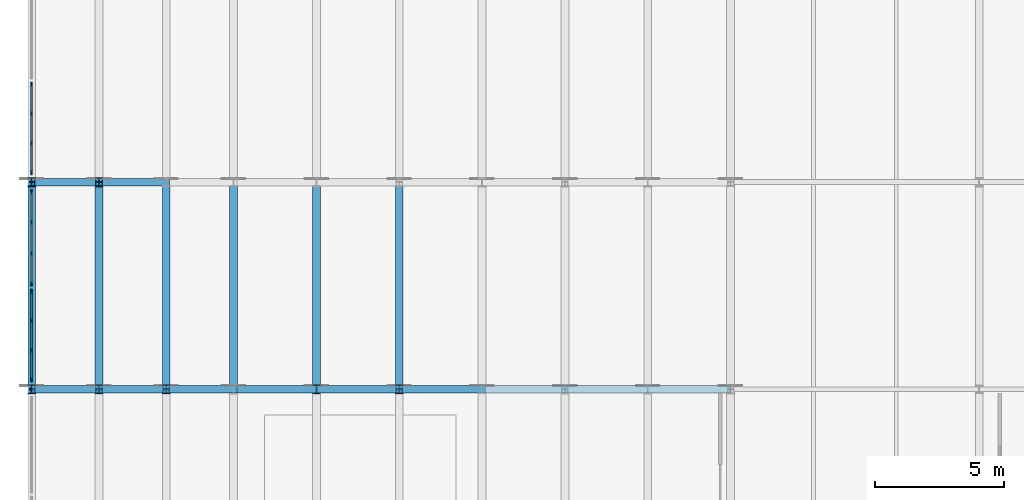
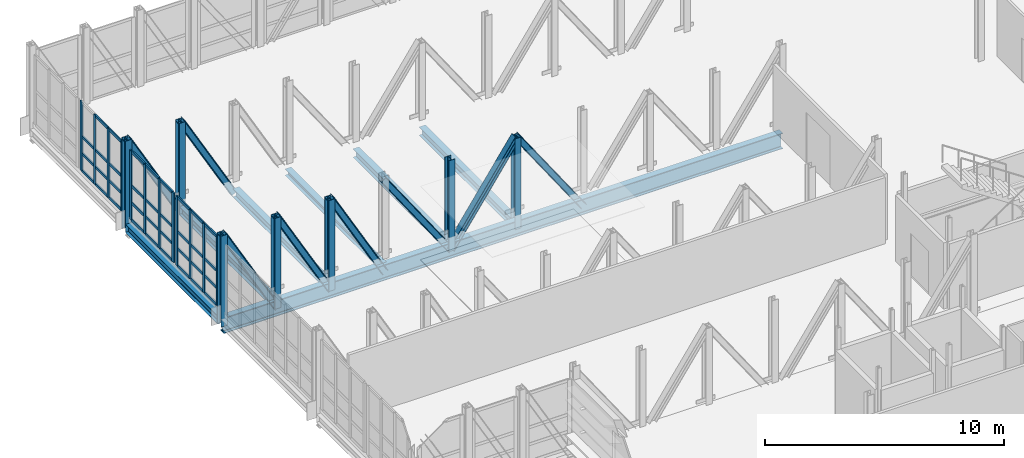
# One storey, part 39 of 73: 62 members, 7 beams, 3 elements without a shape of their own.
"""IFC4 building model written with IfcOpenShell, lengths in metres."""

from ifc_helpers import new_model, si_unit, direction, frame, origin, origin_2d, place, context, subcontext, project, spatial, rectangle, i_section, extrude, material, layer, layer_set, material_profile, profile_set, type_object, element, aggregate, save


model = new_model("IFC4")

# Units and contexts
model_context = context("Model", 3, precision=1e-05, world=origin(), true_north=direction((0.0, 1.0)))
body_context = subcontext(model_context, "Body", "Model", "MODEL_VIEW")
ifc_project = project(units=[si_unit("LENGTHUNIT", "METRE"), si_unit("AREAUNIT", "SQUARE_METRE"), si_unit("VOLUMEUNIT", "CUBIC_METRE"), si_unit("PLANEANGLEUNIT", "RADIAN"), si_unit("MASSUNIT", "GRAM", prefix="KILO")], contexts=[model_context])

# Site, building, storey
site_placement = place(None, origin())
site = spatial("IfcSite", under=ifc_project, at=site_placement, CompositionType="ELEMENT")
building_placement = place(site_placement, origin())
building = spatial("IfcBuilding", under=site, at=building_placement, Name="Alderhovde Museum", CompositionType="ELEMENT")
storey_placement = place(building_placement, frame((0.0, 0.0, 12.89990234375)))
storey = spatial("IfcBuildingStorey", under=building, at=storey_placement, Name="L03", CompositionType="ELEMENT", Elevation=12.89990234375)

# Beams
ifc_material_1 = material(Name="Steel S355J2", Category="steel")
ifc_material_profile_1 = material_profile(ifc_material_1, i_section(OverallWidth=0.300048828125, OverallDepth=0.330078125, WebThickness=0.009521484375, FlangeThickness=0.0166015625, FilletRadius=0.027099609375, at=origin_2d()), Name="HEA 340")
ifc_profile_set_1 = profile_set([ifc_material_profile_1], Name="Steel S355J2")
beam_type_1 = type_object("IfcBeamType", Name="BM-HEA340", PredefinedType="BEAM", material=ifc_profile_set_1)
beam_1_placement = place(storey_placement, frame((9.60009765625, 96.0, -0.48486328125), z_axis=(0.0, 1.0, 0.0), x_axis=(-1.0, 0.0, 0.0)))
element("IfcBeam", 1, at=beam_1_placement, inside=storey, type_object=beam_type_1, Name="L03 Grid Beam X=9.6 (96.0 TO 104.0)", PredefinedType="BEAM", context=body_context, shape_type="SweptSolid", body=[
    extrude(i_section(OverallWidth=0.300048828125, OverallDepth=0.330078125, WebThickness=0.009521484375, FlangeThickness=0.0166015625, FilletRadius=0.027099609375, at=origin_2d()), origin(), (0.0, 0.0, 1.0), 8.0),
])
ifc_material_2 = material(Name="Steel S355J2", Category="steel")
ifc_material_profile_2 = material_profile(ifc_material_2, i_section(OverallWidth=0.300048828125, OverallDepth=0.43994140625, WebThickness=0.011474609375, FlangeThickness=0.02099609375, FilletRadius=0.027099609375, at=origin_2d()), Name="HEA 450")
ifc_profile_set_2 = profile_set([ifc_material_profile_2], Name="Steel S355J2")
beam_type_2 = type_object("IfcBeamType", Name="BM-HEA450", PredefinedType="BEAM", material=ifc_profile_set_2)
for number, where, z_axis, x_axis, name in (
    (2, (1.800048828125, 96.14990234375, -0.539794921875), (0.0, 1.0, 0.0), (-1.0, 0.0, 0.0), "L03 Transfer Transverse Beam X=1.8"),
    (3, (4.39990234375, 96.14990234375, -0.539794921875), (0.0, 1.0, 0.0), (-1.0, 0.0, 0.0), "L03 Transfer Transverse Beam X=4.4"),
    (4, (7.0, 96.14990234375, -0.539794921875), (0.0, 1.0, 0.0), (-1.0, 0.0, 0.0), "L03 Transfer Transverse Beam X=7.0"),
    (5, (12.800048828125, 96.14990234375, -0.539794921875), (0.0, 1.0, 0.0), (-1.0, 0.0, 0.0), "L03 Transfer Transverse Beam X=12.8"),
    (6, (16.0, 96.14990234375, -0.539794921875), (0.0, 1.0, 0.0), (-1.0, 0.0, 0.0), "L03 Transfer Transverse Beam X=16.0"),
):
    element("IfcBeam", number, at=place(storey_placement, frame(where, z_axis=z_axis, x_axis=x_axis)), inside=storey, type_object=beam_type_2, Name=name, PredefinedType="BEAM", context=body_context, shape_type="SweptSolid", body=[
        extrude(i_section(OverallWidth=0.300048828125, OverallDepth=0.43994140625, WebThickness=0.011474609375, FlangeThickness=0.02099609375, FilletRadius=0.027099609375, at=origin_2d()), origin(), (0.0, 0.0, 1.0), 7.7001953125),
    ])
ifc_material_3 = material(Name="Steel S355J2", Category="steel")
ifc_material_profile_3 = material_profile(ifc_material_3, i_section(OverallWidth=0.300048828125, OverallDepth=0.800048828125, WebThickness=0.017578125, FlangeThickness=0.032958984375, FilletRadius=0.030029296875, at=origin_2d()), Name="HEB 800")
ifc_profile_set_3 = profile_set([ifc_material_profile_3], Name="Steel S355J2")
beam_type_3 = type_object("IfcBeamType", Name="BM-HEB800", PredefinedType="BEAM", material=ifc_profile_set_3)
beam_2_placement = place(storey_placement, frame((1.800048828125, 96.0, -0.719970703125), z_axis=(1.0, 0.0, 0.0), x_axis=(0.0, 1.0, 0.0)))
element("IfcBeam", 7, at=beam_2_placement, inside=storey, type_object=beam_type_3, Name="Transfer Truss Y=96 BOT Continuous Chord", PredefinedType="BEAM", context=body_context, shape_type="SweptSolid", body=[
    extrude(i_section(OverallWidth=0.300048828125, OverallDepth=0.800048828125, WebThickness=0.017578125, FlangeThickness=0.032958984375, FilletRadius=0.030029296875, at=origin_2d()), origin(), (0.0, 0.0, 1.0), 27.0),
])

# Curtain wall, members
ifc_material_4 = material(Name="Triple-Glazed Bronze-Anodised Curtain Wall", Category="glass")
ifc_layer_1 = layer(ifc_material_4, 0.179931640625)
ifc_layer_set_1 = layer_set([ifc_layer_1], Name="Triple-Glazed Bronze-Anodised Curtain Wall")
curtain_wall_type_1 = type_object("IfcCurtainWallType", Name="CW-UNIT-345x354", PredefinedType="USERDEFINED", material=ifc_layer_set_1)
curtain_wall_1_placement = place(storey_placement, origin())
curtain_wall_1 = element("IfcCurtainWall", 8, at=curtain_wall_1_placement, inside=storey, type_object=curtain_wall_type_1, Name="L03 Unitised Curtain Wall 95", ObjectType="UNITISED CURTAIN WALL", PredefinedType="USERDEFINED")
ifc_material_5 = material(Name="Bronze-Anodised Aluminium EN AW-6063-T6", Category="aluminium")
ifc_material_profile_4 = material_profile(ifc_material_5, rectangle(XDim=0.06494140625, YDim=0.179931640625, at=origin_2d()), Name="MULLION 65x180")
ifc_profile_set_4 = profile_set([ifc_material_profile_4], Name="Bronze-Anodised Aluminium EN AW-6063-T6")
member_type_1 = type_object("IfcMemberType", Name="CWM-65x180", PredefinedType="MULLION", material=ifc_profile_set_4)
member_1_placement = place(storey_placement, frame((1.800048828125, 96.382568359375, 0.0), z_axis=(0.0, 0.0, 1.0), x_axis=(-1.0, 0.0, 0.0)))
member_1 = element("IfcMember", 9, at=member_1_placement, type_object=member_type_1, Name="CW24 mullion 1", PredefinedType="MULLION", context=body_context, shape_type="SweptSolid", body=[
    extrude(rectangle(XDim=0.06494140625, YDim=0.179931640625, at=origin_2d()), origin(), (0.0, 0.0, 1.0), 3.5400390625),
])
member_2_placement = place(storey_placement, frame((1.800048828125, 97.5, 0.0), z_axis=(0.0, 0.0, 1.0), x_axis=(-1.0, 0.0, 0.0)))
member_2 = element("IfcMember", 10, at=member_2_placement, type_object=member_type_1, Name="CW24 mullion 2", PredefinedType="MULLION", context=body_context, shape_type="SweptSolid", body=[
    extrude(rectangle(XDim=0.06494140625, YDim=0.179931640625, at=origin_2d()), origin(), (0.0, 0.0, 1.0), 3.5400390625),
])
member_3_placement = place(storey_placement, frame((1.800048828125, 98.64990234375, 0.0), z_axis=(0.0, 0.0, 1.0), x_axis=(-1.0, 0.0, 0.0)))
member_3 = element("IfcMember", 11, at=member_3_placement, type_object=member_type_1, Name="CW24 mullion 3", PredefinedType="MULLION", context=body_context, shape_type="SweptSolid", body=[
    extrude(rectangle(XDim=0.06494140625, YDim=0.179931640625, at=origin_2d()), origin(), (0.0, 0.0, 1.0), 3.5400390625),
])
member_4_placement = place(storey_placement, frame((1.800048828125, 99.767578125, 0.0), z_axis=(0.0, 0.0, 1.0), x_axis=(-1.0, 0.0, 0.0)))
member_4 = element("IfcMember", 12, at=member_4_placement, type_object=member_type_1, Name="CW24 mullion 4", PredefinedType="MULLION", context=body_context, shape_type="SweptSolid", body=[
    extrude(rectangle(XDim=0.06494140625, YDim=0.179931640625, at=origin_2d()), origin(), (0.0, 0.0, 1.0), 3.5400390625),
])

ifc_material_6 = material(Name="Triple-Glazed Bronze-Anodised Curtain Wall", Category="glass")
ifc_layer_2 = layer(ifc_material_6, 0.179931640625)
ifc_layer_set_2 = layer_set([ifc_layer_2], Name="Triple-Glazed Bronze-Anodised Curtain Wall")
curtain_wall_type_2 = type_object("IfcCurtainWallType", Name="CW-UNIT-360x354", PredefinedType="USERDEFINED", material=ifc_layer_set_2)
curtain_wall_2_placement = place(storey_placement, origin())
curtain_wall_2 = element("IfcCurtainWall", 13, at=curtain_wall_2_placement, inside=storey, type_object=curtain_wall_type_2, Name="L03 Unitised Curtain Wall 96", ObjectType="UNITISED CURTAIN WALL", PredefinedType="USERDEFINED")
member_5_placement = place(storey_placement, frame((1.800048828125, 100.08251953125, 0.0), z_axis=(0.0, 0.0, 1.0), x_axis=(-1.0, 0.0, 0.0)))
member_5 = element("IfcMember", 14, at=member_5_placement, type_object=member_type_1, Name="CW20 mullion 1", PredefinedType="MULLION", context=body_context, shape_type="SweptSolid", body=[
    extrude(rectangle(XDim=0.06494140625, YDim=0.179931640625, at=origin_2d()), origin(), (0.0, 0.0, 1.0), 3.5400390625),
])
member_6_placement = place(storey_placement, frame((1.800048828125, 101.25, 0.0), z_axis=(0.0, 0.0, 1.0), x_axis=(-1.0, 0.0, 0.0)))
member_6 = element("IfcMember", 15, at=member_6_placement, type_object=member_type_1, Name="CW20 mullion 2", PredefinedType="MULLION", context=body_context, shape_type="SweptSolid", body=[
    extrude(rectangle(XDim=0.06494140625, YDim=0.179931640625, at=origin_2d()), origin(), (0.0, 0.0, 1.0), 3.5400390625),
])
member_7_placement = place(storey_placement, frame((1.800048828125, 102.449951171875, 0.0), z_axis=(0.0, 0.0, 1.0), x_axis=(-1.0, 0.0, 0.0)))
member_7 = element("IfcMember", 16, at=member_7_placement, type_object=member_type_1, Name="CW20 mullion 3", PredefinedType="MULLION", context=body_context, shape_type="SweptSolid", body=[
    extrude(rectangle(XDim=0.06494140625, YDim=0.179931640625, at=origin_2d()), origin(), (0.0, 0.0, 1.0), 3.5400390625),
])
member_8_placement = place(storey_placement, frame((1.800048828125, 103.617431640625, 0.0), z_axis=(0.0, 0.0, 1.0), x_axis=(-1.0, 0.0, 0.0)))
member_8 = element("IfcMember", 17, at=member_8_placement, type_object=member_type_1, Name="CW20 mullion 4", PredefinedType="MULLION", context=body_context, shape_type="SweptSolid", body=[
    extrude(rectangle(XDim=0.06494140625, YDim=0.179931640625, at=origin_2d()), origin(), (0.0, 0.0, 1.0), 3.5400390625),
])

curtain_wall_3_placement = place(storey_placement, origin())
curtain_wall_3 = element("IfcCurtainWall", 18, at=curtain_wall_3_placement, inside=storey, type_object=curtain_wall_type_1, Name="L03 Unitised Curtain Wall 97", ObjectType="UNITISED CURTAIN WALL", PredefinedType="USERDEFINED")
member_9_placement = place(storey_placement, frame((1.800048828125, 104.382568359375, 0.0), z_axis=(0.0, 0.0, 1.0), x_axis=(-1.0, 0.0, 0.0)))
member_9 = element("IfcMember", 19, at=member_9_placement, type_object=member_type_1, Name="CW24 mullion 1", PredefinedType="MULLION", context=body_context, shape_type="SweptSolid", body=[
    extrude(rectangle(XDim=0.06494140625, YDim=0.179931640625, at=origin_2d()), origin(), (0.0, 0.0, 1.0), 3.5400390625),
])
member_10_placement = place(storey_placement, frame((1.800048828125, 105.5, 0.0), z_axis=(0.0, 0.0, 1.0), x_axis=(-1.0, 0.0, 0.0)))
member_10 = element("IfcMember", 20, at=member_10_placement, type_object=member_type_1, Name="CW24 mullion 2", PredefinedType="MULLION", context=body_context, shape_type="SweptSolid", body=[
    extrude(rectangle(XDim=0.06494140625, YDim=0.179931640625, at=origin_2d()), origin(), (0.0, 0.0, 1.0), 3.5400390625),
])
member_11_placement = place(storey_placement, frame((1.800048828125, 106.64990234375, 0.0), z_axis=(0.0, 0.0, 1.0), x_axis=(-1.0, 0.0, 0.0)))
member_11 = element("IfcMember", 21, at=member_11_placement, type_object=member_type_1, Name="CW24 mullion 3", PredefinedType="MULLION", context=body_context, shape_type="SweptSolid", body=[
    extrude(rectangle(XDim=0.06494140625, YDim=0.179931640625, at=origin_2d()), origin(), (0.0, 0.0, 1.0), 3.5400390625),
])
member_12_placement = place(storey_placement, frame((1.800048828125, 107.767578125, 0.0), z_axis=(0.0, 0.0, 1.0), x_axis=(-1.0, 0.0, 0.0)))
member_12 = element("IfcMember", 22, at=member_12_placement, type_object=member_type_1, Name="CW24 mullion 4", PredefinedType="MULLION", context=body_context, shape_type="SweptSolid", body=[
    extrude(rectangle(XDim=0.06494140625, YDim=0.179931640625, at=origin_2d()), origin(), (0.0, 0.0, 1.0), 3.5400390625),
])

# Member
ifc_material_7 = material(Name="Bronze-Anodised Aluminium EN AW-6063-T6", Category="aluminium")
ifc_material_profile_5 = material_profile(ifc_material_7, rectangle(XDim=0.06494140625, YDim=0.139892578125, at=origin_2d()), Name="TRANSOM 65x140")
ifc_profile_set_5 = profile_set([ifc_material_profile_5], Name="Bronze-Anodised Aluminium EN AW-6063-T6")
member_type_2 = type_object("IfcMemberType", Name="CWT-65x140", PredefinedType="USERDEFINED", material=ifc_profile_set_5)
member_13_placement = place(storey_placement, frame((1.800048828125, 96.4150390625, 0.03271484375), z_axis=(0.0, 1.0, 0.0), x_axis=(-1.0, 0.0, 0.0)))
member_13 = element("IfcMember", 23, at=member_13_placement, type_object=member_type_2, Name="CW24 transom 1.1", ObjectType="TRANSOM", PredefinedType="USERDEFINED", context=body_context, shape_type="SweptSolid", body=[
    extrude(rectangle(XDim=0.06494140625, YDim=0.139892578125, at=origin_2d()), origin(), (0.0, 0.0, 1.0), 1.052490234375),
])

member_14_placement = place(storey_placement, frame((1.800048828125, 96.4150390625, 0.900146484375), z_axis=(0.0, 1.0, 0.0), x_axis=(-1.0, 0.0, 0.0)))
member_14 = element("IfcMember", 24, at=member_14_placement, type_object=member_type_2, Name="CW24 transom 1.2", ObjectType="TRANSOM", PredefinedType="USERDEFINED", context=body_context, shape_type="SweptSolid", body=[
    extrude(rectangle(XDim=0.06494140625, YDim=0.139892578125, at=origin_2d()), origin(), (0.0, 0.0, 1.0), 1.052490234375),
])

member_15_placement = place(storey_placement, frame((1.800048828125, 96.4150390625, 1.77001953125), z_axis=(0.0, 1.0, 0.0), x_axis=(-1.0, 0.0, 0.0)))
member_15 = element("IfcMember", 25, at=member_15_placement, type_object=member_type_2, Name="CW24 transom 1.3", ObjectType="TRANSOM", PredefinedType="USERDEFINED", context=body_context, shape_type="SweptSolid", body=[
    extrude(rectangle(XDim=0.06494140625, YDim=0.139892578125, at=origin_2d()), origin(), (0.0, 0.0, 1.0), 1.052490234375),
])

member_16_placement = place(storey_placement, frame((1.800048828125, 96.4150390625, 3.507568359375), z_axis=(0.0, 1.0, 0.0), x_axis=(-1.0, 0.0, 0.0)))
member_16 = element("IfcMember", 26, at=member_16_placement, type_object=member_type_2, Name="CW24 transom 1.4", ObjectType="TRANSOM", PredefinedType="USERDEFINED", context=body_context, shape_type="SweptSolid", body=[
    extrude(rectangle(XDim=0.06494140625, YDim=0.139892578125, at=origin_2d()), origin(), (0.0, 0.0, 1.0), 1.052490234375),
])

member_17_placement = place(storey_placement, frame((1.800048828125, 97.532470703125, 0.03271484375), z_axis=(0.0, 1.0, 0.0), x_axis=(-1.0, 0.0, 0.0)))
member_17 = element("IfcMember", 27, at=member_17_placement, type_object=member_type_2, Name="CW24 transom 2.1", ObjectType="TRANSOM", PredefinedType="USERDEFINED", context=body_context, shape_type="SweptSolid", body=[
    extrude(rectangle(XDim=0.06494140625, YDim=0.139892578125, at=origin_2d()), origin(), (0.0, 0.0, 1.0), 1.0849609375),
])

member_18_placement = place(storey_placement, frame((1.800048828125, 97.532470703125, 0.900146484375), z_axis=(0.0, 1.0, 0.0), x_axis=(-1.0, 0.0, 0.0)))
member_18 = element("IfcMember", 28, at=member_18_placement, type_object=member_type_2, Name="CW24 transom 2.2", ObjectType="TRANSOM", PredefinedType="USERDEFINED", context=body_context, shape_type="SweptSolid", body=[
    extrude(rectangle(XDim=0.06494140625, YDim=0.139892578125, at=origin_2d()), origin(), (0.0, 0.0, 1.0), 1.0849609375),
])

member_19_placement = place(storey_placement, frame((1.800048828125, 97.532470703125, 1.77001953125), z_axis=(0.0, 1.0, 0.0), x_axis=(-1.0, 0.0, 0.0)))
member_19 = element("IfcMember", 29, at=member_19_placement, type_object=member_type_2, Name="CW24 transom 2.3", ObjectType="TRANSOM", PredefinedType="USERDEFINED", context=body_context, shape_type="SweptSolid", body=[
    extrude(rectangle(XDim=0.06494140625, YDim=0.139892578125, at=origin_2d()), origin(), (0.0, 0.0, 1.0), 1.0849609375),
])

member_20_placement = place(storey_placement, frame((1.800048828125, 97.532470703125, 3.507568359375), z_axis=(0.0, 1.0, 0.0), x_axis=(-1.0, 0.0, 0.0)))
member_20 = element("IfcMember", 30, at=member_20_placement, type_object=member_type_2, Name="CW24 transom 2.4", ObjectType="TRANSOM", PredefinedType="USERDEFINED", context=body_context, shape_type="SweptSolid", body=[
    extrude(rectangle(XDim=0.06494140625, YDim=0.139892578125, at=origin_2d()), origin(), (0.0, 0.0, 1.0), 1.0849609375),
])

member_21_placement = place(storey_placement, frame((1.800048828125, 98.6826171875, 0.03271484375), z_axis=(0.0, 1.0, 0.0), x_axis=(-1.0, 0.0, 0.0)))
member_21 = element("IfcMember", 31, at=member_21_placement, type_object=member_type_2, Name="CW24 transom 3.1", ObjectType="TRANSOM", PredefinedType="USERDEFINED", context=body_context, shape_type="SweptSolid", body=[
    extrude(rectangle(XDim=0.06494140625, YDim=0.139892578125, at=origin_2d()), origin(), (0.0, 0.0, 1.0), 1.052490234375),
])

member_22_placement = place(storey_placement, frame((1.800048828125, 98.6826171875, 0.900146484375), z_axis=(0.0, 1.0, 0.0), x_axis=(-1.0, 0.0, 0.0)))
member_22 = element("IfcMember", 32, at=member_22_placement, type_object=member_type_2, Name="CW24 transom 3.2", ObjectType="TRANSOM", PredefinedType="USERDEFINED", context=body_context, shape_type="SweptSolid", body=[
    extrude(rectangle(XDim=0.06494140625, YDim=0.139892578125, at=origin_2d()), origin(), (0.0, 0.0, 1.0), 1.052490234375),
])

member_23_placement = place(storey_placement, frame((1.800048828125, 98.6826171875, 1.77001953125), z_axis=(0.0, 1.0, 0.0), x_axis=(-1.0, 0.0, 0.0)))
member_23 = element("IfcMember", 33, at=member_23_placement, type_object=member_type_2, Name="CW24 transom 3.3", ObjectType="TRANSOM", PredefinedType="USERDEFINED", context=body_context, shape_type="SweptSolid", body=[
    extrude(rectangle(XDim=0.06494140625, YDim=0.139892578125, at=origin_2d()), origin(), (0.0, 0.0, 1.0), 1.052490234375),
])

member_24_placement = place(storey_placement, frame((1.800048828125, 98.6826171875, 3.507568359375), z_axis=(0.0, 1.0, 0.0), x_axis=(-1.0, 0.0, 0.0)))
member_24 = element("IfcMember", 34, at=member_24_placement, type_object=member_type_2, Name="CW24 transom 3.4", ObjectType="TRANSOM", PredefinedType="USERDEFINED", context=body_context, shape_type="SweptSolid", body=[
    extrude(rectangle(XDim=0.06494140625, YDim=0.139892578125, at=origin_2d()), origin(), (0.0, 0.0, 1.0), 1.052490234375),
])

aggregate(curtain_wall_1, [member_1, member_2, member_3, member_4, member_13, member_14, member_15, member_16, member_17, member_18, member_19, member_20, member_21, member_22, member_23, member_24])

member_25_placement = place(storey_placement, frame((1.800048828125, 100.114990234375, 0.03271484375), z_axis=(0.0, 1.0, 0.0), x_axis=(-1.0, 0.0, 0.0)))
member_25 = element("IfcMember", 35, at=member_25_placement, type_object=member_type_2, Name="CW20 transom 1.1", ObjectType="TRANSOM", PredefinedType="USERDEFINED", context=body_context, shape_type="SweptSolid", body=[
    extrude(rectangle(XDim=0.06494140625, YDim=0.139892578125, at=origin_2d()), origin(), (0.0, 0.0, 1.0), 1.1025390625),
])

member_26_placement = place(storey_placement, frame((1.800048828125, 100.114990234375, 0.900146484375), z_axis=(0.0, 1.0, 0.0), x_axis=(-1.0, 0.0, 0.0)))
member_26 = element("IfcMember", 36, at=member_26_placement, type_object=member_type_2, Name="CW20 transom 1.2", ObjectType="TRANSOM", PredefinedType="USERDEFINED", context=body_context, shape_type="SweptSolid", body=[
    extrude(rectangle(XDim=0.06494140625, YDim=0.139892578125, at=origin_2d()), origin(), (0.0, 0.0, 1.0), 1.1025390625),
])

member_27_placement = place(storey_placement, frame((1.800048828125, 100.114990234375, 1.77001953125), z_axis=(0.0, 1.0, 0.0), x_axis=(-1.0, 0.0, 0.0)))
member_27 = element("IfcMember", 37, at=member_27_placement, type_object=member_type_2, Name="CW20 transom 1.3", ObjectType="TRANSOM", PredefinedType="USERDEFINED", context=body_context, shape_type="SweptSolid", body=[
    extrude(rectangle(XDim=0.06494140625, YDim=0.139892578125, at=origin_2d()), origin(), (0.0, 0.0, 1.0), 1.1025390625),
])

member_28_placement = place(storey_placement, frame((1.800048828125, 100.114990234375, 3.507568359375), z_axis=(0.0, 1.0, 0.0), x_axis=(-1.0, 0.0, 0.0)))
member_28 = element("IfcMember", 38, at=member_28_placement, type_object=member_type_2, Name="CW20 transom 1.4", ObjectType="TRANSOM", PredefinedType="USERDEFINED", context=body_context, shape_type="SweptSolid", body=[
    extrude(rectangle(XDim=0.06494140625, YDim=0.139892578125, at=origin_2d()), origin(), (0.0, 0.0, 1.0), 1.1025390625),
])

member_29_placement = place(storey_placement, frame((1.800048828125, 101.282470703125, 0.03271484375), z_axis=(0.0, 1.0, 0.0), x_axis=(-1.0, 0.0, 0.0)))
member_29 = element("IfcMember", 39, at=member_29_placement, type_object=member_type_2, Name="CW20 transom 2.1", ObjectType="TRANSOM", PredefinedType="USERDEFINED", context=body_context, shape_type="SweptSolid", body=[
    extrude(rectangle(XDim=0.06494140625, YDim=0.139892578125, at=origin_2d()), origin(), (0.0, 0.0, 1.0), 1.135009765625),
])

member_30_placement = place(storey_placement, frame((1.800048828125, 101.282470703125, 0.900146484375), z_axis=(0.0, 1.0, 0.0), x_axis=(-1.0, 0.0, 0.0)))
member_30 = element("IfcMember", 40, at=member_30_placement, type_object=member_type_2, Name="CW20 transom 2.2", ObjectType="TRANSOM", PredefinedType="USERDEFINED", context=body_context, shape_type="SweptSolid", body=[
    extrude(rectangle(XDim=0.06494140625, YDim=0.139892578125, at=origin_2d()), origin(), (0.0, 0.0, 1.0), 1.135009765625),
])

member_31_placement = place(storey_placement, frame((1.800048828125, 101.282470703125, 1.77001953125), z_axis=(0.0, 1.0, 0.0), x_axis=(-1.0, 0.0, 0.0)))
member_31 = element("IfcMember", 41, at=member_31_placement, type_object=member_type_2, Name="CW20 transom 2.3", ObjectType="TRANSOM", PredefinedType="USERDEFINED", context=body_context, shape_type="SweptSolid", body=[
    extrude(rectangle(XDim=0.06494140625, YDim=0.139892578125, at=origin_2d()), origin(), (0.0, 0.0, 1.0), 1.135009765625),
])

member_32_placement = place(storey_placement, frame((1.800048828125, 101.282470703125, 3.507568359375), z_axis=(0.0, 1.0, 0.0), x_axis=(-1.0, 0.0, 0.0)))
member_32 = element("IfcMember", 42, at=member_32_placement, type_object=member_type_2, Name="CW20 transom 2.4", ObjectType="TRANSOM", PredefinedType="USERDEFINED", context=body_context, shape_type="SweptSolid", body=[
    extrude(rectangle(XDim=0.06494140625, YDim=0.139892578125, at=origin_2d()), origin(), (0.0, 0.0, 1.0), 1.135009765625),
])

member_33_placement = place(storey_placement, frame((1.800048828125, 102.482421875, 0.03271484375), z_axis=(0.0, 1.0, 0.0), x_axis=(-1.0, 0.0, 0.0)))
member_33 = element("IfcMember", 43, at=member_33_placement, type_object=member_type_2, Name="CW20 transom 3.1", ObjectType="TRANSOM", PredefinedType="USERDEFINED", context=body_context, shape_type="SweptSolid", body=[
    extrude(rectangle(XDim=0.06494140625, YDim=0.139892578125, at=origin_2d()), origin(), (0.0, 0.0, 1.0), 1.1025390625),
])

member_34_placement = place(storey_placement, frame((1.800048828125, 102.482421875, 0.900146484375), z_axis=(0.0, 1.0, 0.0), x_axis=(-1.0, 0.0, 0.0)))
member_34 = element("IfcMember", 44, at=member_34_placement, type_object=member_type_2, Name="CW20 transom 3.2", ObjectType="TRANSOM", PredefinedType="USERDEFINED", context=body_context, shape_type="SweptSolid", body=[
    extrude(rectangle(XDim=0.06494140625, YDim=0.139892578125, at=origin_2d()), origin(), (0.0, 0.0, 1.0), 1.1025390625),
])

member_35_placement = place(storey_placement, frame((1.800048828125, 102.482421875, 1.77001953125), z_axis=(0.0, 1.0, 0.0), x_axis=(-1.0, 0.0, 0.0)))
member_35 = element("IfcMember", 45, at=member_35_placement, type_object=member_type_2, Name="CW20 transom 3.3", ObjectType="TRANSOM", PredefinedType="USERDEFINED", context=body_context, shape_type="SweptSolid", body=[
    extrude(rectangle(XDim=0.06494140625, YDim=0.139892578125, at=origin_2d()), origin(), (0.0, 0.0, 1.0), 1.1025390625),
])

member_36_placement = place(storey_placement, frame((1.800048828125, 102.482421875, 3.507568359375), z_axis=(0.0, 1.0, 0.0), x_axis=(-1.0, 0.0, 0.0)))
member_36 = element("IfcMember", 46, at=member_36_placement, type_object=member_type_2, Name="CW20 transom 3.4", ObjectType="TRANSOM", PredefinedType="USERDEFINED", context=body_context, shape_type="SweptSolid", body=[
    extrude(rectangle(XDim=0.06494140625, YDim=0.139892578125, at=origin_2d()), origin(), (0.0, 0.0, 1.0), 1.1025390625),
])

aggregate(curtain_wall_2, [member_5, member_6, member_7, member_8, member_25, member_26, member_27, member_28, member_29, member_30, member_31, member_32, member_33, member_34, member_35, member_36])

member_37_placement = place(storey_placement, frame((1.800048828125, 104.4150390625, 0.03271484375), z_axis=(0.0, 1.0, 0.0), x_axis=(-1.0, 0.0, 0.0)))
member_37 = element("IfcMember", 47, at=member_37_placement, type_object=member_type_2, Name="CW24 transom 1.1", ObjectType="TRANSOM", PredefinedType="USERDEFINED", context=body_context, shape_type="SweptSolid", body=[
    extrude(rectangle(XDim=0.06494140625, YDim=0.139892578125, at=origin_2d()), origin(), (0.0, 0.0, 1.0), 1.052490234375),
])

member_38_placement = place(storey_placement, frame((1.800048828125, 104.4150390625, 0.900146484375), z_axis=(0.0, 1.0, 0.0), x_axis=(-1.0, 0.0, 0.0)))
member_38 = element("IfcMember", 48, at=member_38_placement, type_object=member_type_2, Name="CW24 transom 1.2", ObjectType="TRANSOM", PredefinedType="USERDEFINED", context=body_context, shape_type="SweptSolid", body=[
    extrude(rectangle(XDim=0.06494140625, YDim=0.139892578125, at=origin_2d()), origin(), (0.0, 0.0, 1.0), 1.052490234375),
])

member_39_placement = place(storey_placement, frame((1.800048828125, 104.4150390625, 1.77001953125), z_axis=(0.0, 1.0, 0.0), x_axis=(-1.0, 0.0, 0.0)))
member_39 = element("IfcMember", 49, at=member_39_placement, type_object=member_type_2, Name="CW24 transom 1.3", ObjectType="TRANSOM", PredefinedType="USERDEFINED", context=body_context, shape_type="SweptSolid", body=[
    extrude(rectangle(XDim=0.06494140625, YDim=0.139892578125, at=origin_2d()), origin(), (0.0, 0.0, 1.0), 1.052490234375),
])

member_40_placement = place(storey_placement, frame((1.800048828125, 104.4150390625, 3.507568359375), z_axis=(0.0, 1.0, 0.0), x_axis=(-1.0, 0.0, 0.0)))
member_40 = element("IfcMember", 50, at=member_40_placement, type_object=member_type_2, Name="CW24 transom 1.4", ObjectType="TRANSOM", PredefinedType="USERDEFINED", context=body_context, shape_type="SweptSolid", body=[
    extrude(rectangle(XDim=0.06494140625, YDim=0.139892578125, at=origin_2d()), origin(), (0.0, 0.0, 1.0), 1.052490234375),
])

member_41_placement = place(storey_placement, frame((1.800048828125, 105.532470703125, 0.03271484375), z_axis=(0.0, 1.0, 0.0), x_axis=(-1.0, 0.0, 0.0)))
member_41 = element("IfcMember", 51, at=member_41_placement, type_object=member_type_2, Name="CW24 transom 2.1", ObjectType="TRANSOM", PredefinedType="USERDEFINED", context=body_context, shape_type="SweptSolid", body=[
    extrude(rectangle(XDim=0.06494140625, YDim=0.139892578125, at=origin_2d()), origin(), (0.0, 0.0, 1.0), 1.0849609375),
])

member_42_placement = place(storey_placement, frame((1.800048828125, 105.532470703125, 0.900146484375), z_axis=(0.0, 1.0, 0.0), x_axis=(-1.0, 0.0, 0.0)))
member_42 = element("IfcMember", 52, at=member_42_placement, type_object=member_type_2, Name="CW24 transom 2.2", ObjectType="TRANSOM", PredefinedType="USERDEFINED", context=body_context, shape_type="SweptSolid", body=[
    extrude(rectangle(XDim=0.06494140625, YDim=0.139892578125, at=origin_2d()), origin(), (0.0, 0.0, 1.0), 1.0849609375),
])

member_43_placement = place(storey_placement, frame((1.800048828125, 105.532470703125, 1.77001953125), z_axis=(0.0, 1.0, 0.0), x_axis=(-1.0, 0.0, 0.0)))
member_43 = element("IfcMember", 53, at=member_43_placement, type_object=member_type_2, Name="CW24 transom 2.3", ObjectType="TRANSOM", PredefinedType="USERDEFINED", context=body_context, shape_type="SweptSolid", body=[
    extrude(rectangle(XDim=0.06494140625, YDim=0.139892578125, at=origin_2d()), origin(), (0.0, 0.0, 1.0), 1.0849609375),
])

member_44_placement = place(storey_placement, frame((1.800048828125, 105.532470703125, 3.507568359375), z_axis=(0.0, 1.0, 0.0), x_axis=(-1.0, 0.0, 0.0)))
member_44 = element("IfcMember", 54, at=member_44_placement, type_object=member_type_2, Name="CW24 transom 2.4", ObjectType="TRANSOM", PredefinedType="USERDEFINED", context=body_context, shape_type="SweptSolid", body=[
    extrude(rectangle(XDim=0.06494140625, YDim=0.139892578125, at=origin_2d()), origin(), (0.0, 0.0, 1.0), 1.0849609375),
])

member_45_placement = place(storey_placement, frame((1.800048828125, 106.6826171875, 0.03271484375), z_axis=(0.0, 1.0, 0.0), x_axis=(-1.0, 0.0, 0.0)))
member_45 = element("IfcMember", 55, at=member_45_placement, type_object=member_type_2, Name="CW24 transom 3.1", ObjectType="TRANSOM", PredefinedType="USERDEFINED", context=body_context, shape_type="SweptSolid", body=[
    extrude(rectangle(XDim=0.06494140625, YDim=0.139892578125, at=origin_2d()), origin(), (0.0, 0.0, 1.0), 1.052490234375),
])

member_46_placement = place(storey_placement, frame((1.800048828125, 106.6826171875, 0.900146484375), z_axis=(0.0, 1.0, 0.0), x_axis=(-1.0, 0.0, 0.0)))
member_46 = element("IfcMember", 56, at=member_46_placement, type_object=member_type_2, Name="CW24 transom 3.2", ObjectType="TRANSOM", PredefinedType="USERDEFINED", context=body_context, shape_type="SweptSolid", body=[
    extrude(rectangle(XDim=0.06494140625, YDim=0.139892578125, at=origin_2d()), origin(), (0.0, 0.0, 1.0), 1.052490234375),
])

member_47_placement = place(storey_placement, frame((1.800048828125, 106.6826171875, 1.77001953125), z_axis=(0.0, 1.0, 0.0), x_axis=(-1.0, 0.0, 0.0)))
member_47 = element("IfcMember", 57, at=member_47_placement, type_object=member_type_2, Name="CW24 transom 3.3", ObjectType="TRANSOM", PredefinedType="USERDEFINED", context=body_context, shape_type="SweptSolid", body=[
    extrude(rectangle(XDim=0.06494140625, YDim=0.139892578125, at=origin_2d()), origin(), (0.0, 0.0, 1.0), 1.052490234375),
])

aggregate(curtain_wall_3, [member_9, member_10, member_11, member_12, member_37, member_38, member_39, member_40, member_41, member_42, member_43, member_44, member_45, member_46, member_47])

# Members
ifc_material_8 = material(Name="Steel S355J2", Category="steel")
ifc_material_profile_6 = material_profile(ifc_material_8, i_section(OverallWidth=0.300048828125, OverallDepth=0.300048828125, WebThickness=0.010986328125, FlangeThickness=0.01904296875, FilletRadius=0.027099609375, at=origin_2d()), Name="HEB 300")
ifc_profile_set_6 = profile_set([ifc_material_profile_6], Name="Steel S355J2")
member_type_3 = type_object("IfcMemberType", Name="TR-DG-HEB300", PredefinedType="STRUT", material=ifc_profile_set_6)
for number, where, z_axis, x_axis, name in (
    (58, (1.800048828125, 96.0, 3.920166015625), (0.488800434728, 0.0, -0.872395629866), (0.0, 1.0, 0.0), "Transfer Truss Y=96 T1 Diagonal 1"),
    (59, (4.39990234375, 96.0, 3.920166015625), (0.488835367665, 0.0, -0.872376056136), (0.0, 1.0, 0.0), "Transfer Truss Y=96 T1 Diagonal 2"),
    (60, (7.0, 96.0, 3.920166015625), (0.488835367665, 0.0, -0.872376056136), (0.0, 1.0, 0.0), "Transfer Truss Y=96 T1 Diagonal 3"),
):
    element("IfcMember", number, at=place(storey_placement, frame(where, z_axis=z_axis, x_axis=x_axis)), inside=storey, type_object=member_type_3, Name=name, PredefinedType="STRUT", context=body_context, shape_type="SweptSolid", body=[
        extrude(i_section(OverallWidth=0.300048828125, OverallDepth=0.300048828125, WebThickness=0.010986328125, FlangeThickness=0.01904296875, FilletRadius=0.027099609375, at=origin_2d()), origin(), (0.0, 0.0, 1.0), 5.31884765625),
    ])
for number, where, z_axis, x_axis, name in (
    (61, (9.60009765625, 96.0, 3.920166015625), (0.567715748774, 0.0, -0.823224652567), (0.0, 1.0, 0.0), "Transfer Truss Y=96 T1 Diagonal 4"),
    (62, (12.800048828125, 96.0, -0.719970703125), (0.567715748774, 0.0, 0.823224652567), (0.0, 1.0, 0.0), "Transfer Truss Y=96 T1 Diagonal 5"),
    (63, (16.0, 96.0, 3.920166015625), (0.567715748774, 0.0, -0.823224652567), (0.0, 1.0, 0.0), "Transfer Truss Y=96 T1 Diagonal 6"),
):
    element("IfcMember", number, at=place(storey_placement, frame(where, z_axis=z_axis, x_axis=x_axis)), inside=storey, type_object=member_type_3, Name=name, PredefinedType="STRUT", context=body_context, shape_type="SweptSolid", body=[
        extrude(i_section(OverallWidth=0.300048828125, OverallDepth=0.300048828125, WebThickness=0.010986328125, FlangeThickness=0.01904296875, FilletRadius=0.027099609375, at=origin_2d()), origin(), (0.0, 0.0, 1.0), 5.636474609375),
    ])
for number, where, z_axis, x_axis, name in (
    (64, (1.800048828125, 104.0, 3.920166015625), (0.488800434728, 0.0, -0.872395629866), (0.0, 1.0, 0.0), "Transfer Truss Y=104 T1 Diagonal 1"),
    (65, (4.39990234375, 104.0, 3.920166015625), (0.488835367665, 0.0, -0.872376056136), (0.0, 1.0, 0.0), "Transfer Truss Y=104 T1 Diagonal 2"),
):
    element("IfcMember", number, at=place(storey_placement, frame(where, z_axis=z_axis, x_axis=x_axis)), inside=storey, type_object=member_type_3, Name=name, PredefinedType="STRUT", context=body_context, shape_type="SweptSolid", body=[
        extrude(i_section(OverallWidth=0.300048828125, OverallDepth=0.300048828125, WebThickness=0.010986328125, FlangeThickness=0.01904296875, FilletRadius=0.027099609375, at=origin_2d()), origin(), (0.0, 0.0, 1.0), 5.31884765625),
    ])
ifc_material_9 = material(Name="Steel S355J2", Category="steel")
ifc_material_profile_7 = material_profile(ifc_material_9, i_section(OverallWidth=0.300048828125, OverallDepth=0.340087890625, WebThickness=0.011962890625, FlangeThickness=0.021484375, FilletRadius=0.027099609375, at=origin_2d()), Name="HEB 340")
ifc_profile_set_7 = profile_set([ifc_material_profile_7], Name="Steel S355J2")
member_type_4 = type_object("IfcMemberType", Name="TR-PS-HEB340", PredefinedType="POST", material=ifc_profile_set_7)
for number, where, z_axis, x_axis, name in (
    (66, (1.800048828125, 96.0, -0.719970703125), (0.0, 0.0, 1.0), (1.0, 0.0, 0.0), "Transfer Truss Y=96 T1 Post 1"),
    (67, (4.39990234375, 96.0, -0.719970703125), (0.0, 0.0, 1.0), (1.0, 0.0, 0.0), "Transfer Truss Y=96 T1 Post 2"),
    (68, (7.0, 96.0, -0.719970703125), (0.0, 0.0, 1.0), (1.0, 0.0, 0.0), "Transfer Truss Y=96 T1 Post 3"),
    (69, (12.800048828125, 96.0, -0.719970703125), (0.0, 0.0, 1.0), (1.0, 0.0, 0.0), "Transfer Truss Y=96 T1 Post 5"),
    (70, (16.0, 96.0, -0.719970703125), (0.0, 0.0, 1.0), (1.0, 0.0, 0.0), "Transfer Truss Y=96 T1 Post 6"),
    (71, (1.800048828125, 104.0, -0.719970703125), (0.0, 0.0, 1.0), (1.0, 0.0, 0.0), "Transfer Truss Y=104 T1 Post 1"),
    (72, (4.39990234375, 104.0, -0.719970703125), (0.0, 0.0, 1.0), (1.0, 0.0, 0.0), "Transfer Truss Y=104 T1 Post 2"),
):
    element("IfcMember", number, at=place(storey_placement, frame(where, z_axis=z_axis, x_axis=x_axis)), inside=storey, type_object=member_type_4, Name=name, PredefinedType="POST", context=body_context, shape_type="SweptSolid", body=[
        extrude(i_section(OverallWidth=0.300048828125, OverallDepth=0.340087890625, WebThickness=0.011962890625, FlangeThickness=0.021484375, FilletRadius=0.027099609375, at=origin_2d()), origin(), (0.0, 0.0, 1.0), 4.64013671875),
    ])

save(model, "model.ifc")
